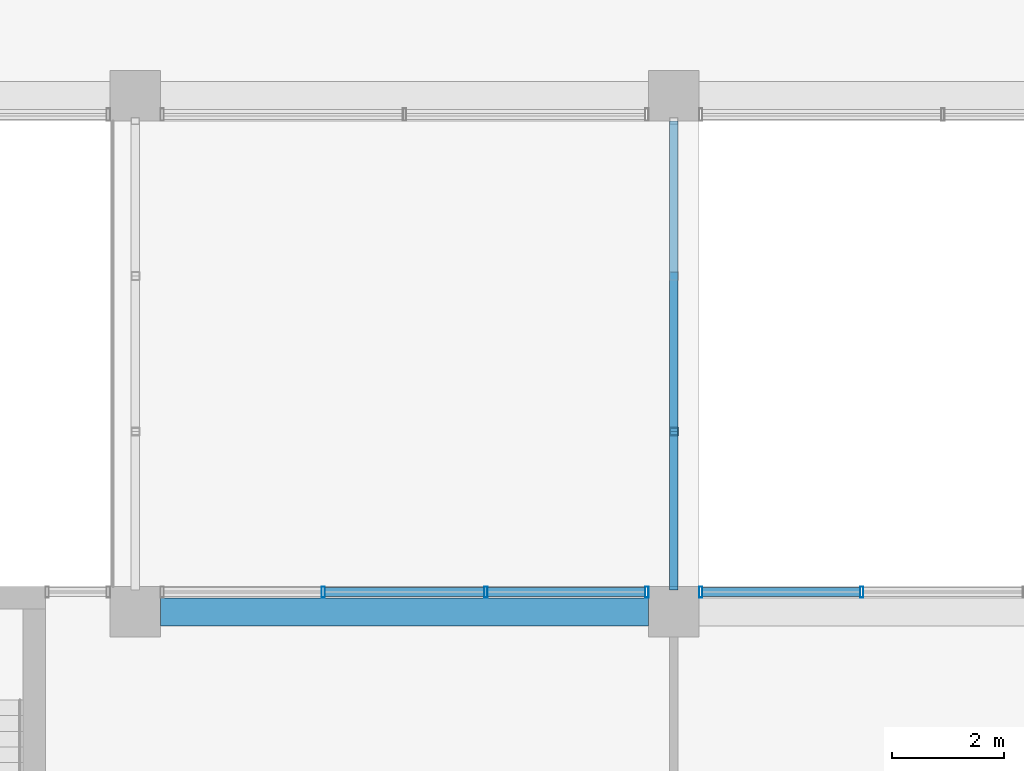
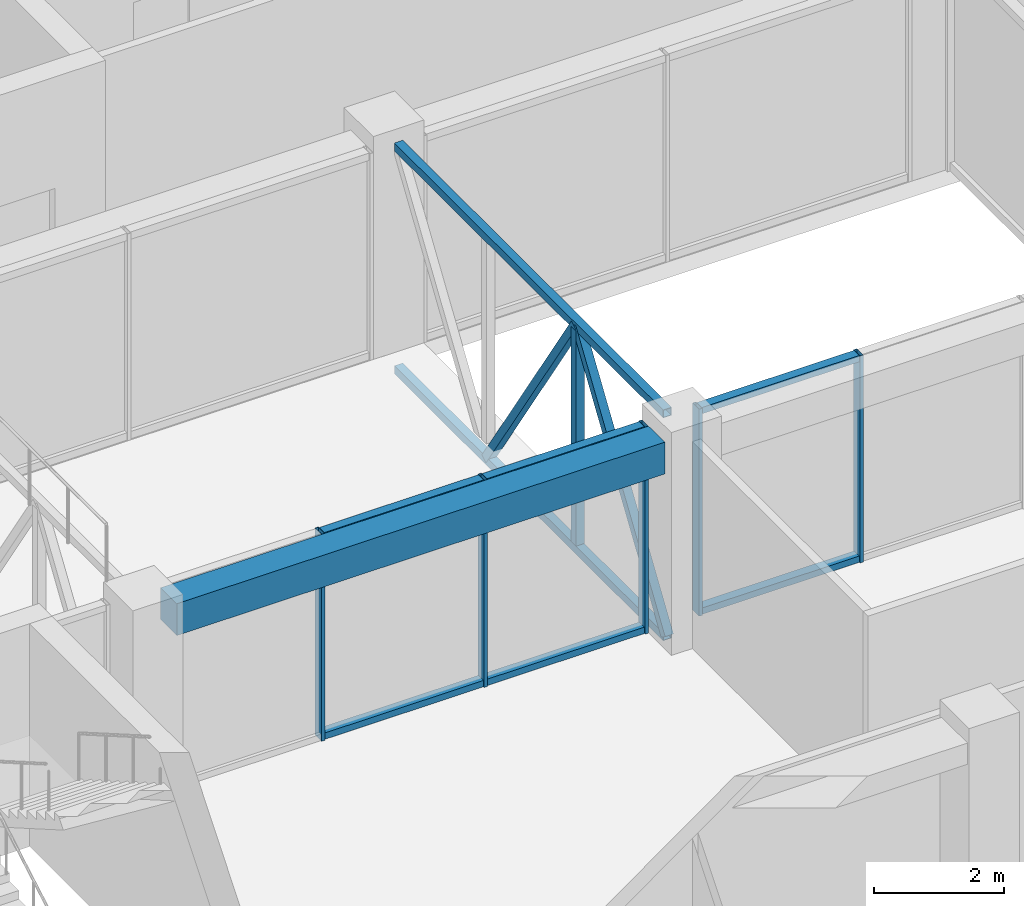
# One storey, part 17 of 38: 16 members, 1 beam, 2 elements without a shape of their own.
"""IFC4 building model written with IfcOpenShell, lengths in metres."""

from ifc_helpers import new_model, si_unit, direction, frame, origin, origin_2d, place, context, subcontext, project, spatial, rectangle, hollow_rectangle, extrude, material, layer, layer_set, material_profile, profile_set, type_object, element, aggregate, save


model = new_model("IFC4")

# Units and contexts
model_context = context("Model", 3, precision=1e-05, world=origin(), true_north=direction((0.0, 1.0)))
body_context = subcontext(model_context, "Body", "Model", "MODEL_VIEW")
ifc_project = project(units=[si_unit("LENGTHUNIT", "METRE"), si_unit("AREAUNIT", "SQUARE_METRE"), si_unit("VOLUMEUNIT", "CUBIC_METRE"), si_unit("PLANEANGLEUNIT", "RADIAN"), si_unit("MASSUNIT", "GRAM", prefix="KILO")], contexts=[model_context])

# Site, building, storey
site_placement = place(None, origin())
site = spatial("IfcSite", under=ifc_project, at=site_placement, CompositionType="ELEMENT")
building_placement = place(site_placement, origin())
building = spatial("IfcBuilding", under=site, at=building_placement, Name="Nzadi Deep Aquarium and Research Tower", CompositionType="ELEMENT")
storey_placement = place(building_placement, frame((0.0, 0.0, 65.5)))
storey = spatial("IfcBuildingStorey", under=building, at=storey_placement, Name="L13", CompositionType="ELEMENT", Elevation=65.5)

# Curtain wall, members
ifc_material_1 = material(Name="Aluminium unitised frame", Category="aluminium")
ifc_layer = layer(ifc_material_1, 0.199951171875)
ifc_layer_set = layer_set([ifc_layer], Name="Aluminium unitised frame")
curtain_wall_type = type_object("IfcCurtainWallType", Name="Curtain wall Unitised 200", PredefinedType="NOTDEFINED", material=ifc_layer_set)
curtain_wall_1_placement = place(storey_placement, origin())
curtain_wall_1 = element("IfcCurtainWall", 1, at=curtain_wall_1_placement, inside=storey, type_object=curtain_wall_type, Name="Unitised curtain wall blade A north L13", PredefinedType="NOTDEFINED")
ifc_material_2 = material(Name="Aluminium unitised frame", Category="aluminium")
ifc_material_profile_1 = material_profile(ifc_material_2, hollow_rectangle(XDim=0.199951171875, YDim=0.06005859375, WallThickness=0.0048828125, at=origin_2d()))
ifc_profile_set_1 = profile_set([ifc_material_profile_1], Name="Aluminium unitised frame")
member_type_1 = type_object("IfcMemberType", Name="Mullion 60x200 Unitised", PredefinedType="MULLION", material=ifc_profile_set_1)
member_1_placement = place(storey_placement, frame((32.14990234375, 18.75, 0.0), z_axis=(0.0, 0.0, 1.0), x_axis=(0.0, 1.0, 0.0)))
member_1 = element("IfcMember", 2, at=member_1_placement, type_object=member_type_1, Name="CW062 mullion 2", PredefinedType="MULLION", context=body_context, shape_type="SweptSolid", body=[
    extrude(hollow_rectangle(XDim=0.199951171875, YDim=0.06005859375, WallThickness=0.0048828125, at=origin_2d()), origin(), (0.0, 0.0, 1.0), 3.89990234375),
])
member_2_placement = place(storey_placement, frame((35.050048828125, 18.75, 0.0), z_axis=(0.0, 0.0, 1.0), x_axis=(0.0, 1.0, 0.0)))
member_2 = element("IfcMember", 3, at=member_2_placement, type_object=member_type_1, Name="CW062 mullion 3", PredefinedType="MULLION", context=body_context, shape_type="SweptSolid", body=[
    extrude(hollow_rectangle(XDim=0.199951171875, YDim=0.06005859375, WallThickness=0.0048828125, at=origin_2d()), origin(), (0.0, 0.0, 1.0), 3.89990234375),
])
member_3_placement = place(storey_placement, frame((37.919921875, 18.75, 0.0), z_axis=(0.0, 0.0, 1.0), x_axis=(0.0, 1.0, 0.0)))
member_3 = element("IfcMember", 4, at=member_3_placement, type_object=member_type_1, Name="CW062 mullion 4", PredefinedType="MULLION", context=body_context, shape_type="SweptSolid", body=[
    extrude(hollow_rectangle(XDim=0.199951171875, YDim=0.06005859375, WallThickness=0.0048828125, at=origin_2d()), origin(), (0.0, 0.0, 1.0), 3.89990234375),
])

curtain_wall_2_placement = place(storey_placement, origin())
curtain_wall_2 = element("IfcCurtainWall", 5, at=curtain_wall_2_placement, inside=storey, type_object=curtain_wall_type, Name="Unitised curtain wall blade A north L13", PredefinedType="NOTDEFINED")
member_4_placement = place(storey_placement, frame((38.8798828125, 18.75, 0.0), z_axis=(0.0, 0.0, 1.0), x_axis=(0.0, 1.0, 0.0)))
member_4 = element("IfcMember", 6, at=member_4_placement, type_object=member_type_1, Name="CW063 mullion 1", PredefinedType="MULLION", context=body_context, shape_type="SweptSolid", body=[
    extrude(hollow_rectangle(XDim=0.199951171875, YDim=0.06005859375, WallThickness=0.0048828125, at=origin_2d()), origin(), (0.0, 0.0, 1.0), 3.89990234375),
])
member_5_placement = place(storey_placement, frame((41.75, 18.75, 0.0), z_axis=(0.0, 0.0, 1.0), x_axis=(0.0, 1.0, 0.0)))
member_5 = element("IfcMember", 7, at=member_5_placement, type_object=member_type_1, Name="CW063 mullion 2", PredefinedType="MULLION", context=body_context, shape_type="SweptSolid", body=[
    extrude(hollow_rectangle(XDim=0.199951171875, YDim=0.06005859375, WallThickness=0.0048828125, at=origin_2d()), origin(), (0.0, 0.0, 1.0), 3.89990234375),
])

# Beam
ifc_material_3 = material(Name="Concrete C35/45", Category="concrete")
ifc_material_profile_2 = material_profile(ifc_material_3, rectangle(XDim=0.5, YDim=0.60009765625, at=origin_2d()))
ifc_profile_set_2 = profile_set([ifc_material_profile_2], Name="Concrete C35/45")
beam_type = type_object("IfcBeamType", Name="RC 500x600", PredefinedType="BEAM", material=ifc_profile_set_2)
beam_placement = place(storey_placement, frame((29.25, 18.39990234375, 3.60009765625), z_axis=(1.0, 0.0, 0.0), x_axis=(0.0, 1.0, 0.0)))
element("IfcBeam", 8, at=beam_placement, inside=storey, type_object=beam_type, Name="B-Z1-L13-L3-4", PredefinedType="BEAM", context=body_context, shape_type="SweptSolid", body=[
    extrude(rectangle(XDim=0.5, YDim=0.60009765625, at=origin_2d()), origin(), (0.0, 0.0, 1.0), 8.699951171875),
])

# Members
ifc_material_4 = material(Name="Steel S355", Category="steel")
ifc_material_profile_3 = material_profile(ifc_material_4, hollow_rectangle(XDim=0.14990234375, YDim=0.14990234375, WallThickness=0.010009765625, at=origin_2d()))
ifc_profile_set_3 = profile_set([ifc_material_profile_3], Name="Steel S355")
member_type_2 = type_object("IfcMemberType", Name="RHS 150x150x10 brace", PredefinedType="BRACE", material=ifc_profile_set_3)
for number, where, z_axis, x_axis, name in (
    (9, (38.39990234375, 18.85009765625, -0.324951171875), (0.0, 0.550098751185, 0.835099613187), (-1.0, 0.0, 0.0), "MB-BR-L13-T2-D1"),
    (10, (38.39990234375, 21.61669921875, 3.875), (0.0, 0.550098751185, -0.835099613187), (-1.0, 0.0, 0.0), "MB-BR-L13-T2-D2"),
):
    element("IfcMember", number, at=place(storey_placement, frame(where, z_axis=z_axis, x_axis=x_axis)), inside=storey, type_object=member_type_2, Name=name, PredefinedType="BRACE", context=body_context, shape_type="SweptSolid", body=[
        extrude(hollow_rectangle(XDim=0.14990234375, YDim=0.14990234375, WallThickness=0.010009765625, at=origin_2d()), origin(), (0.0, 0.0, 1.0), 5.029296875),
    ])
ifc_material_5 = material(Name="Steel S355", Category="steel")
ifc_material_profile_4 = material_profile(ifc_material_5, hollow_rectangle(XDim=0.14990234375, YDim=0.14990234375, WallThickness=0.008056640625, at=origin_2d()))
ifc_profile_set_4 = profile_set([ifc_material_profile_4], Name="Steel S355")
member_type_3 = type_object("IfcMemberType", Name="RHS 150x150x8 chord", PredefinedType="CHORD", material=ifc_profile_set_4)
for number, where, z_axis, x_axis, name in (
    (11, (38.39990234375, 18.85009765625, -0.324951171875), (0.0, 1.0, 0.0), (-1.0, 0.0, 0.0), "MB-BR-L13-T2-BOT"),
    (12, (38.39990234375, 18.85009765625, 3.875), (0.0, 1.0, 0.0), (-1.0, 0.0, 0.0), "MB-BR-L13-T2-TOP"),
):
    element("IfcMember", number, at=place(storey_placement, frame(where, z_axis=z_axis, x_axis=x_axis)), inside=storey, type_object=member_type_3, Name=name, PredefinedType="CHORD", context=body_context, shape_type="SweptSolid", body=[
        extrude(hollow_rectangle(XDim=0.14990234375, YDim=0.14990234375, WallThickness=0.008056640625, at=origin_2d()), origin(), (0.0, 0.0, 1.0), 8.2998046875),
    ])
ifc_material_6 = material(Name="Steel S355", Category="steel")
ifc_material_profile_5 = material_profile(ifc_material_6, hollow_rectangle(XDim=0.14990234375, YDim=0.14990234375, WallThickness=0.008056640625, at=origin_2d()))
ifc_profile_set_5 = profile_set([ifc_material_profile_5], Name="Steel S355")
member_type_4 = type_object("IfcMemberType", Name="RHS 150x150x8 post", PredefinedType="POST", material=ifc_profile_set_5)
member_6_placement = place(storey_placement, frame((38.39990234375, 21.61669921875, -0.25), z_axis=(0.0, 0.0, 1.0), x_axis=(1.0, 0.0, 0.0)))
element("IfcMember", 13, at=member_6_placement, inside=storey, type_object=member_type_4, Name="MB-BR-L13-T2-V1", PredefinedType="POST", context=body_context, shape_type="SweptSolid", body=[
    extrude(hollow_rectangle(XDim=0.14990234375, YDim=0.14990234375, WallThickness=0.008056640625, at=origin_2d()), origin(), (0.0, 0.0, 1.0), 4.050048828125),
])

# Member
ifc_material_7 = material(Name="Aluminium unitised frame", Category="aluminium")
ifc_material_profile_6 = material_profile(ifc_material_7, hollow_rectangle(XDim=0.159912109375, YDim=0.1201171875, WallThickness=0.0048828125, at=origin_2d()))
ifc_profile_set_6 = profile_set([ifc_material_profile_6], Name="Aluminium unitised frame")
member_type_5 = type_object("IfcMemberType", Name="Transom 120x160 Unitised", PredefinedType="MULLION", material=ifc_profile_set_6)
member_7_placement = place(storey_placement, frame((32.179931640625, 18.75, 0.06005859375), z_axis=(1.0, 0.0, 0.0), x_axis=(0.0, 1.0, 0.0)))
member_7 = element("IfcMember", 14, at=member_7_placement, type_object=member_type_5, Name="CW062 transom 2.1", PredefinedType="MULLION", context=body_context, shape_type="SweptSolid", body=[
    extrude(hollow_rectangle(XDim=0.159912109375, YDim=0.1201171875, WallThickness=0.0048828125, at=origin_2d()), origin(), (0.0, 0.0, 1.0), 2.840087890625),
])

member_8_placement = place(storey_placement, frame((32.179931640625, 18.75, 3.840087890625), z_axis=(1.0, 0.0, 0.0), x_axis=(0.0, 1.0, 0.0)))
member_8 = element("IfcMember", 15, at=member_8_placement, type_object=member_type_5, Name="CW062 transom 2.2", PredefinedType="MULLION", context=body_context, shape_type="SweptSolid", body=[
    extrude(hollow_rectangle(XDim=0.159912109375, YDim=0.1201171875, WallThickness=0.0048828125, at=origin_2d()), origin(), (0.0, 0.0, 1.0), 2.840087890625),
])

member_9_placement = place(storey_placement, frame((35.080078125, 18.75, 0.06005859375), z_axis=(1.0, 0.0, 0.0), x_axis=(0.0, 1.0, 0.0)))
member_9 = element("IfcMember", 16, at=member_9_placement, type_object=member_type_5, Name="CW062 transom 3.1", PredefinedType="MULLION", context=body_context, shape_type="SweptSolid", body=[
    extrude(hollow_rectangle(XDim=0.159912109375, YDim=0.1201171875, WallThickness=0.0048828125, at=origin_2d()), origin(), (0.0, 0.0, 1.0), 2.809814453125),
])

member_10_placement = place(storey_placement, frame((35.080078125, 18.75, 3.840087890625), z_axis=(1.0, 0.0, 0.0), x_axis=(0.0, 1.0, 0.0)))
member_10 = element("IfcMember", 17, at=member_10_placement, type_object=member_type_5, Name="CW062 transom 3.2", PredefinedType="MULLION", context=body_context, shape_type="SweptSolid", body=[
    extrude(hollow_rectangle(XDim=0.159912109375, YDim=0.1201171875, WallThickness=0.0048828125, at=origin_2d()), origin(), (0.0, 0.0, 1.0), 2.809814453125),
])

aggregate(curtain_wall_1, [member_1, member_2, member_3, member_7, member_8, member_9, member_10])

member_11_placement = place(storey_placement, frame((38.909912109375, 18.75, 0.06005859375), z_axis=(1.0, 0.0, 0.0), x_axis=(0.0, 1.0, 0.0)))
member_11 = element("IfcMember", 18, at=member_11_placement, type_object=member_type_5, Name="CW063 transom 1.1", PredefinedType="MULLION", context=body_context, shape_type="SweptSolid", body=[
    extrude(hollow_rectangle(XDim=0.159912109375, YDim=0.1201171875, WallThickness=0.0048828125, at=origin_2d()), origin(), (0.0, 0.0, 1.0), 2.81005859375),
])

member_12_placement = place(storey_placement, frame((38.909912109375, 18.75, 3.840087890625), z_axis=(1.0, 0.0, 0.0), x_axis=(0.0, 1.0, 0.0)))
member_12 = element("IfcMember", 19, at=member_12_placement, type_object=member_type_5, Name="CW063 transom 1.2", PredefinedType="MULLION", context=body_context, shape_type="SweptSolid", body=[
    extrude(hollow_rectangle(XDim=0.159912109375, YDim=0.1201171875, WallThickness=0.0048828125, at=origin_2d()), origin(), (0.0, 0.0, 1.0), 2.81005859375),
])

aggregate(curtain_wall_2, [member_4, member_5, member_11, member_12])

save(model, "model.ifc")
